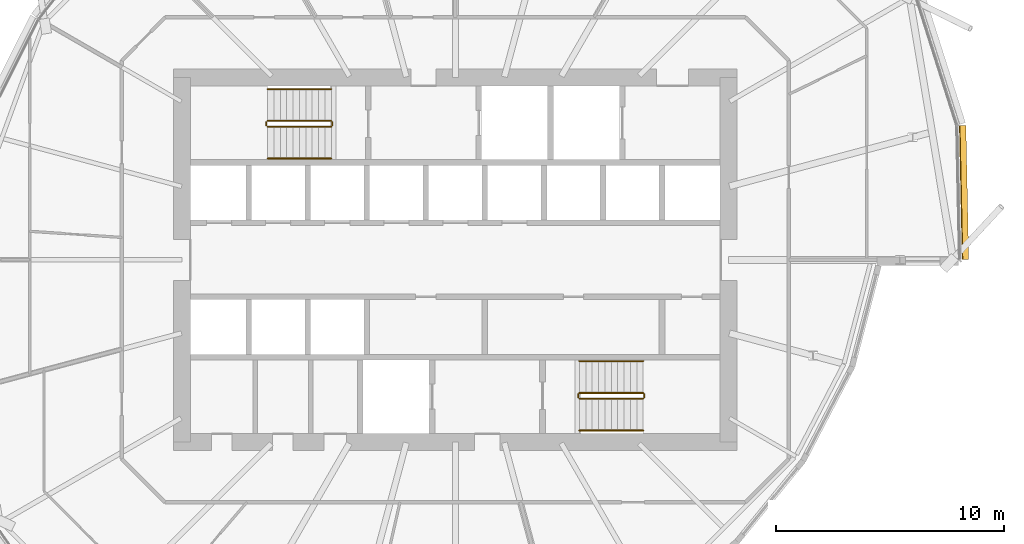
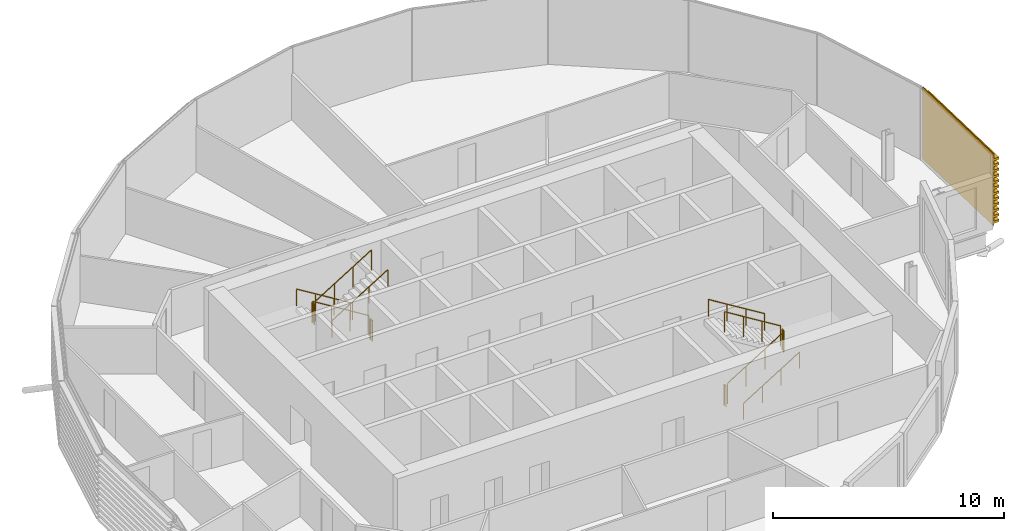
# One storey, part 38 of 39: 12 railings, 1 covering.
"""IFC4 building model written with IfcOpenShell, lengths in metres."""

from ifc_helpers import new_model, si_unit, direction, frame, origin, origin_2d, place, context, subcontext, project, spatial, polyline, circle, outline, extrude, material, material_profile, profile_set, type_object, element, save


model = new_model("IFC4")

# Units and contexts
model_context = context("Model", 3, precision=1e-05, world=origin(), true_north=direction((0.0, 1.0)))
body_context = subcontext(model_context, "Body", "Model", "MODEL_VIEW")
ifc_project = project(units=[si_unit("LENGTHUNIT", "METRE"), si_unit("AREAUNIT", "SQUARE_METRE"), si_unit("VOLUMEUNIT", "CUBIC_METRE"), si_unit("PLANEANGLEUNIT", "RADIAN"), si_unit("MASSUNIT", "GRAM", prefix="KILO")], contexts=[model_context])

# Site, building, storey
site_placement = place(None, origin())
site = spatial("IfcSite", under=ifc_project, at=site_placement, CompositionType="ELEMENT")
building_placement = place(site_placement, origin())
building = spatial("IfcBuilding", under=site, at=building_placement, Name="Rimbun Link Towers", CompositionType="ELEMENT")
storey_placement = place(building_placement, frame((0.0, 0.0, 100.60009765625)))
storey = spatial("IfcBuildingStorey", under=building, at=storey_placement, Name="L24", CompositionType="ELEMENT", Elevation=100.60009765625)

# Railings
ifc_material_1 = material(Name="Stainless steel grade 316", Category="steel")
railing_type_1 = type_object("IfcRailingType", Name="Stair guard", PredefinedType="GUARDRAIL", material=ifc_material_1)
railing_1_placement = place(storey_placement, frame((26.300048828125, 6.10009765625, 0.172607421875)))
element("IfcRailing", 1, at=railing_1_placement, inside=storey, type_object=railing_type_1, Name="L24 ST3 stair guard 1", PredefinedType="GUARDRAIL", context=body_context, shape_type="SweptSolid", body=[
    extrude(circle(Radius=0.02392578125, at=origin_2d()), frame((0.0, 0.0, 1.076171875), z_axis=(-0.851089632645, 0.0, 0.525020415988), x_axis=(0.0, -1.0, 0.0)), (0.0, 0.0, 1.0), 3.2900390625),
    extrude(circle(Radius=0.02099609375, at=origin_2d()), origin(), (0.0, 0.0, 1.0), 1.052001953125),
    extrude(circle(Radius=0.02099609375, at=origin_2d()), frame((-0.933349609375, 0.0, 0.57568359375)), (0.0, 0.0, 1.0), 1.052001953125),
    extrude(circle(Radius=0.02099609375, at=origin_2d()), frame((-1.86669921875, 0.0, 1.151611328125)), (0.0, 0.0, 1.0), 1.052001953125),
    extrude(circle(Radius=0.02099609375, at=origin_2d()), frame((-2.800048828125, 0.0, 1.727294921875)), (0.0, 0.0, 1.0), 1.052001953125),
])
railing_2_placement = place(storey_placement, frame((23.449951171875, 6.050048828125, 1.89990234375)))
element("IfcRailing", 2, at=railing_2_placement, inside=storey, type_object=railing_type_1, Name="L24 ST3 stair guard 2", PredefinedType="GUARDRAIL", context=body_context, shape_type="SweptSolid", body=[
    extrude(circle(Radius=0.02392578125, at=origin_2d()), frame((0.0, 0.0, 1.076171875), z_axis=(0.0, -1.0, 0.0), x_axis=(1.0, 0.0, 0.0)), (0.0, 0.0, 1.0), 0.150146484375),
    extrude(circle(Radius=0.02099609375, at=origin_2d()), origin(), (0.0, 0.0, 1.0), 1.052001953125),
    extrude(circle(Radius=0.02099609375, at=origin_2d()), frame((0.0, -0.150146484375, 0.0)), (0.0, 0.0, 1.0), 1.052001953125),
])
railing_3_placement = place(storey_placement, frame((23.5, 5.85009765625, 2.072509765625)))
element("IfcRailing", 3, at=railing_3_placement, inside=storey, type_object=railing_type_1, Name="L24 ST3 stair guard 3", PredefinedType="GUARDRAIL", context=body_context, shape_type="SweptSolid", body=[
    extrude(circle(Radius=0.02392578125, at=origin_2d()), frame((0.0, 0.0, 1.076171875), z_axis=(0.851089632645, 0.0, 0.525020415988), x_axis=(0.0, 1.0, 0.0)), (0.0, 0.0, 1.0), 3.2900390625),
    extrude(circle(Radius=0.02099609375, at=origin_2d()), origin(), (0.0, 0.0, 1.0), 1.052001953125),
    extrude(circle(Radius=0.02099609375, at=origin_2d()), frame((0.933349609375, 0.0, 0.57568359375)), (0.0, 0.0, 1.0), 1.052001953125),
    extrude(circle(Radius=0.02099609375, at=origin_2d()), frame((1.86669921875, 0.0, 1.151611328125)), (0.0, 0.0, 1.0), 1.052001953125),
    extrude(circle(Radius=0.02099609375, at=origin_2d()), frame((2.800048828125, 0.0, 1.727294921875)), (0.0, 0.0, 1.0), 1.052001953125),
])
railing_4_placement = place(storey_placement, frame((26.35009765625, 6.050048828125, 0.0)))
element("IfcRailing", 4, at=railing_4_placement, inside=storey, type_object=railing_type_1, Name="L24 ST3 stair guard 4", PredefinedType="GUARDRAIL", context=body_context, shape_type="SweptSolid", body=[
    extrude(circle(Radius=0.02392578125, at=origin_2d()), frame((0.0, 0.0, 1.076171875), z_axis=(0.0, -1.0, 0.0), x_axis=(1.0, 0.0, 0.0)), (0.0, 0.0, 1.0), 0.150146484375),
    extrude(circle(Radius=0.02099609375, at=origin_2d()), origin(), (0.0, 0.0, 1.0), 1.052001953125),
    extrude(circle(Radius=0.02099609375, at=origin_2d()), frame((0.0, -0.150146484375, 0.0)), (0.0, 0.0, 1.0), 1.052001953125),
])
railing_5_placement = place(storey_placement, frame((37.199951171875, -6.10009765625, 0.172607421875)))
element("IfcRailing", 5, at=railing_5_placement, inside=storey, type_object=railing_type_1, Name="L24 ST4 stair guard 1", PredefinedType="GUARDRAIL", context=body_context, shape_type="SweptSolid", body=[
    extrude(circle(Radius=0.02392578125, at=origin_2d()), frame((0.0, 0.0, 1.076171875), z_axis=(0.851089632645, 0.0, 0.525020415988), x_axis=(0.0, 1.0, 0.0)), (0.0, 0.0, 1.0), 3.2900390625),
    extrude(circle(Radius=0.02099609375, at=origin_2d()), origin(), (0.0, 0.0, 1.0), 1.052001953125),
    extrude(circle(Radius=0.02099609375, at=origin_2d()), frame((0.933349609375, 0.0, 0.57568359375)), (0.0, 0.0, 1.0), 1.052001953125),
    extrude(circle(Radius=0.02099609375, at=origin_2d()), frame((1.86669921875, 0.0, 1.151611328125)), (0.0, 0.0, 1.0), 1.052001953125),
    extrude(circle(Radius=0.02099609375, at=origin_2d()), frame((2.800048828125, 0.0, 1.727294921875)), (0.0, 0.0, 1.0), 1.052001953125),
])
railing_6_placement = place(storey_placement, frame((40.050048828125, -6.050048828125, 1.89990234375)))
element("IfcRailing", 6, at=railing_6_placement, inside=storey, type_object=railing_type_1, Name="L24 ST4 stair guard 2", PredefinedType="GUARDRAIL", context=body_context, shape_type="SweptSolid", body=[
    extrude(circle(Radius=0.02392578125, at=origin_2d()), frame((0.0, 0.0, 1.076171875), z_axis=(0.0, 1.0, 0.0), x_axis=(-1.0, 0.0, 0.0)), (0.0, 0.0, 1.0), 0.150146484375),
    extrude(circle(Radius=0.02099609375, at=origin_2d()), origin(), (0.0, 0.0, 1.0), 1.052001953125),
    extrude(circle(Radius=0.02099609375, at=origin_2d()), frame((0.0, 0.150146484375, 0.0)), (0.0, 0.0, 1.0), 1.052001953125),
])
railing_7_placement = place(storey_placement, frame((40.0, -5.85009765625, 2.072509765625)))
element("IfcRailing", 7, at=railing_7_placement, inside=storey, type_object=railing_type_1, Name="L24 ST4 stair guard 3", PredefinedType="GUARDRAIL", context=body_context, shape_type="SweptSolid", body=[
    extrude(circle(Radius=0.02392578125, at=origin_2d()), frame((0.0, 0.0, 1.076171875), z_axis=(-0.851089632645, 0.0, 0.525020415988), x_axis=(0.0, -1.0, 0.0)), (0.0, 0.0, 1.0), 3.2900390625),
    extrude(circle(Radius=0.02099609375, at=origin_2d()), origin(), (0.0, 0.0, 1.0), 1.052001953125),
    extrude(circle(Radius=0.02099609375, at=origin_2d()), frame((-0.933349609375, 0.0, 0.57568359375)), (0.0, 0.0, 1.0), 1.052001953125),
    extrude(circle(Radius=0.02099609375, at=origin_2d()), frame((-1.86669921875, 0.0, 1.151611328125)), (0.0, 0.0, 1.0), 1.052001953125),
    extrude(circle(Radius=0.02099609375, at=origin_2d()), frame((-2.800048828125, 0.0, 1.727294921875)), (0.0, 0.0, 1.0), 1.052001953125),
])
railing_8_placement = place(storey_placement, frame((37.14990234375, -6.050048828125, 0.0)))
element("IfcRailing", 8, at=railing_8_placement, inside=storey, type_object=railing_type_1, Name="L24 ST4 stair guard 4", PredefinedType="GUARDRAIL", context=body_context, shape_type="SweptSolid", body=[
    extrude(circle(Radius=0.02392578125, at=origin_2d()), frame((0.0, 0.0, 1.076171875), z_axis=(0.0, 1.0, 0.0), x_axis=(-1.0, 0.0, 0.0)), (0.0, 0.0, 1.0), 0.150146484375),
    extrude(circle(Radius=0.02099609375, at=origin_2d()), origin(), (0.0, 0.0, 1.0), 1.052001953125),
    extrude(circle(Radius=0.02099609375, at=origin_2d()), frame((0.0, 0.150146484375, 0.0)), (0.0, 0.0, 1.0), 1.052001953125),
])
ifc_material_2 = material(Name="Stainless steel grade 316", Category="steel")
railing_type_2 = type_object("IfcRailingType", Name="Stair handrail", PredefinedType="HANDRAIL", material=ifc_material_2)
railing_9_placement = place(storey_placement, frame((26.300048828125, 7.5, 0.172607421875)))
element("IfcRailing", 9, at=railing_9_placement, inside=storey, type_object=railing_type_2, Name="L24 ST3 stair handrail 1", PredefinedType="HANDRAIL", context=body_context, shape_type="SweptSolid", body=[
    extrude(circle(Radius=0.02392578125, at=origin_2d()), frame((0.0, 0.0, 0.8759765625), z_axis=(-0.851089632645, 0.0, 0.525020415988), x_axis=(0.0, -1.0, 0.0)), (0.0, 0.0, 1.0), 3.2900390625),
    extrude(circle(Radius=0.02099609375, at=origin_2d()), origin(), (0.0, 0.0, 1.0), 0.851806640625),
    extrude(circle(Radius=0.02099609375, at=origin_2d()), frame((-0.933349609375, 0.0, 0.57568359375)), (0.0, 0.0, 1.0), 0.851806640625),
    extrude(circle(Radius=0.02099609375, at=origin_2d()), frame((-1.86669921875, 0.0, 1.151611328125)), (0.0, 0.0, 1.0), 0.851806640625),
    extrude(circle(Radius=0.02099609375, at=origin_2d()), frame((-2.800048828125, 0.0, 1.727294921875)), (0.0, 0.0, 1.0), 0.851806640625),
])
for number, where, name in (
    (10, (23.5, 4.449951171875, 2.072509765625), "L24 ST3 stair handrail 2"),
    (11, (37.199951171875, -7.5, 0.172607421875), "L24 ST4 stair handrail 1"),
):
    element("IfcRailing", number, at=place(storey_placement, frame(where)), inside=storey, type_object=railing_type_2, Name=name, PredefinedType="HANDRAIL", context=body_context, shape_type="SweptSolid", body=[
        extrude(circle(Radius=0.02392578125, at=origin_2d()), frame((0.0, 0.0, 0.8759765625), z_axis=(0.851089632645, 0.0, 0.525020415988), x_axis=(0.0, 1.0, 0.0)), (0.0, 0.0, 1.0), 3.2900390625),
        extrude(circle(Radius=0.02099609375, at=origin_2d()), origin(), (0.0, 0.0, 1.0), 0.851806640625),
        extrude(circle(Radius=0.02099609375, at=origin_2d()), frame((0.933349609375, 0.0, 0.57568359375)), (0.0, 0.0, 1.0), 0.851806640625),
        extrude(circle(Radius=0.02099609375, at=origin_2d()), frame((1.86669921875, 0.0, 1.151611328125)), (0.0, 0.0, 1.0), 0.851806640625),
        extrude(circle(Radius=0.02099609375, at=origin_2d()), frame((2.800048828125, 0.0, 1.727294921875)), (0.0, 0.0, 1.0), 0.851806640625),
    ])
railing_10_placement = place(storey_placement, frame((40.0, -4.449951171875, 2.072509765625)))
element("IfcRailing", 12, at=railing_10_placement, inside=storey, type_object=railing_type_2, Name="L24 ST4 stair handrail 2", PredefinedType="HANDRAIL", context=body_context, shape_type="SweptSolid", body=[
    extrude(circle(Radius=0.02392578125, at=origin_2d()), frame((0.0, 0.0, 0.8759765625), z_axis=(-0.851089632645, 0.0, 0.525020415988), x_axis=(0.0, -1.0, 0.0)), (0.0, 0.0, 1.0), 3.2900390625),
    extrude(circle(Radius=0.02099609375, at=origin_2d()), origin(), (0.0, 0.0, 1.0), 0.851806640625),
    extrude(circle(Radius=0.02099609375, at=origin_2d()), frame((-0.933349609375, 0.0, 0.57568359375)), (0.0, 0.0, 1.0), 0.851806640625),
    extrude(circle(Radius=0.02099609375, at=origin_2d()), frame((-1.86669921875, 0.0, 1.151611328125)), (0.0, 0.0, 1.0), 0.851806640625),
    extrude(circle(Radius=0.02099609375, at=origin_2d()), frame((-2.800048828125, 0.0, 1.727294921875)), (0.0, 0.0, 1.0), 0.851806640625),
])

# Covering
ifc_material_3 = material(Name="Terracotta", Category="masonry")
ifc_material_profile = material_profile(ifc_material_3, outline(polyline([(0.123046875, 0.0), (0.1630859375, 0.0), (0.1630859375, 0.10009765625), (0.423095703125, 0.10009765625), (0.423095703125, 0.219970703125), (0.1630859375, 0.219970703125), (0.1630859375, 0.39990234375), (0.423095703125, 0.39990234375), (0.423095703125, 0.52001953125), (0.1630859375, 0.52001953125), (0.1630859375, 0.699951171875), (0.423095703125, 0.699951171875), (0.423095703125, 0.820068359375), (0.1630859375, 0.820068359375), (0.1630859375, 1.0), (0.423095703125, 1.0), (0.423095703125, 1.1201171875), (0.1630859375, 1.1201171875), (0.1630859375, 1.300048828125), (0.423095703125, 1.300048828125), (0.423095703125, 1.419921875), (0.1630859375, 1.419921875), (0.1630859375, 1.60009765625), (0.423095703125, 1.60009765625), (0.423095703125, 1.719970703125), (0.1630859375, 1.719970703125), (0.1630859375, 1.89990234375), (0.423095703125, 1.89990234375), (0.423095703125, 2.02001953125), (0.1630859375, 2.02001953125), (0.1630859375, 2.199951171875), (0.423095703125, 2.199951171875), (0.423095703125, 2.320068359375), (0.1630859375, 2.320068359375), (0.1630859375, 2.5), (0.423095703125, 2.5), (0.423095703125, 2.6201171875), (0.1630859375, 2.6201171875), (0.1630859375, 2.800048828125), (0.423095703125, 2.800048828125), (0.423095703125, 2.919921875), (0.1630859375, 2.919921875), (0.1630859375, 3.10009765625), (0.423095703125, 3.10009765625), (0.423095703125, 3.219970703125), (0.1630859375, 3.219970703125), (0.1630859375, 3.39990234375), (0.423095703125, 3.39990234375), (0.423095703125, 3.52001953125), (0.1630859375, 3.52001953125), (0.1630859375, 3.800048828125), (0.123046875, 3.800048828125), (0.123046875, 0.0)])), Name="BAGUETTE 120X300")
ifc_profile_set = profile_set([ifc_material_profile], Name="Terracotta")
covering_type = type_object("IfcCoveringType", Name="TERRACOTTA BAGUETTE 120X300 H3800", PredefinedType="CLADDING", material=ifc_profile_set)
covering_placement = place(storey_placement, frame((53.7548828125, 5.896240234375, 0.0), z_axis=(0.021029674001, -0.999778851952, 0.0), x_axis=(0.999778851952, 0.021029674001, 0.0)))
element("IfcCovering", 13, at=covering_placement, inside=storey, type_object=covering_type, Name="TERRACOTTA BAGUETTE", PredefinedType="CLADDING", context=body_context, shape_type="SweptSolid", body=[
    extrude(outline(polyline([(0.123046875, 0.0), (0.1630859375, 0.0), (0.1630859375, 0.10009765625), (0.423095703125, 0.10009765625), (0.423095703125, 0.219970703125), (0.1630859375, 0.219970703125), (0.1630859375, 0.39990234375), (0.423095703125, 0.39990234375), (0.423095703125, 0.52001953125), (0.1630859375, 0.52001953125), (0.1630859375, 0.699951171875), (0.423095703125, 0.699951171875), (0.423095703125, 0.820068359375), (0.1630859375, 0.820068359375), (0.1630859375, 1.0), (0.423095703125, 1.0), (0.423095703125, 1.1201171875), (0.1630859375, 1.1201171875), (0.1630859375, 1.300048828125), (0.423095703125, 1.300048828125), (0.423095703125, 1.419921875), (0.1630859375, 1.419921875), (0.1630859375, 1.60009765625), (0.423095703125, 1.60009765625), (0.423095703125, 1.719970703125), (0.1630859375, 1.719970703125), (0.1630859375, 1.89990234375), (0.423095703125, 1.89990234375), (0.423095703125, 2.02001953125), (0.1630859375, 2.02001953125), (0.1630859375, 2.199951171875), (0.423095703125, 2.199951171875), (0.423095703125, 2.320068359375), (0.1630859375, 2.320068359375), (0.1630859375, 2.5), (0.423095703125, 2.5), (0.423095703125, 2.6201171875), (0.1630859375, 2.6201171875), (0.1630859375, 2.800048828125), (0.423095703125, 2.800048828125), (0.423095703125, 2.919921875), (0.1630859375, 2.919921875), (0.1630859375, 3.10009765625), (0.423095703125, 3.10009765625), (0.423095703125, 3.219970703125), (0.1630859375, 3.219970703125), (0.1630859375, 3.39990234375), (0.423095703125, 3.39990234375), (0.423095703125, 3.52001953125), (0.1630859375, 3.52001953125), (0.1630859375, 3.800048828125), (0.123046875, 3.800048828125), (0.123046875, 0.0)])), origin(), (0.0, 0.0, 1.0), 5.8974609375),
])

save(model, "model.ifc")
